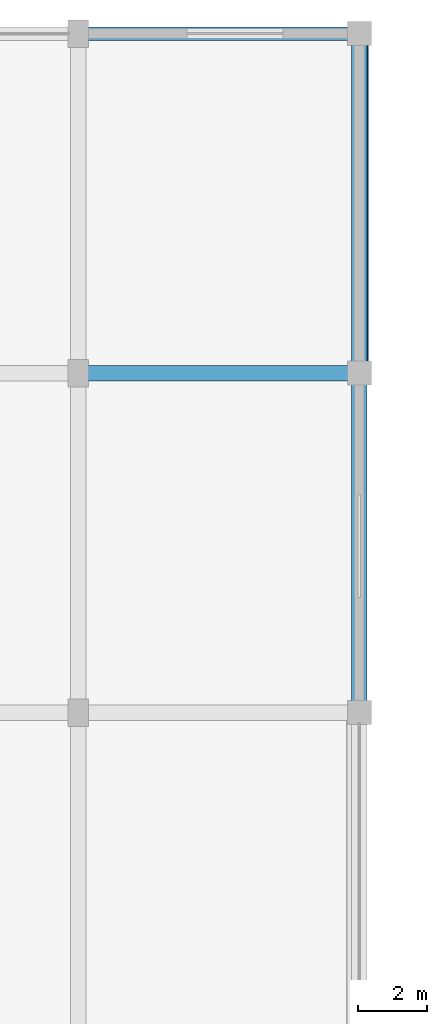
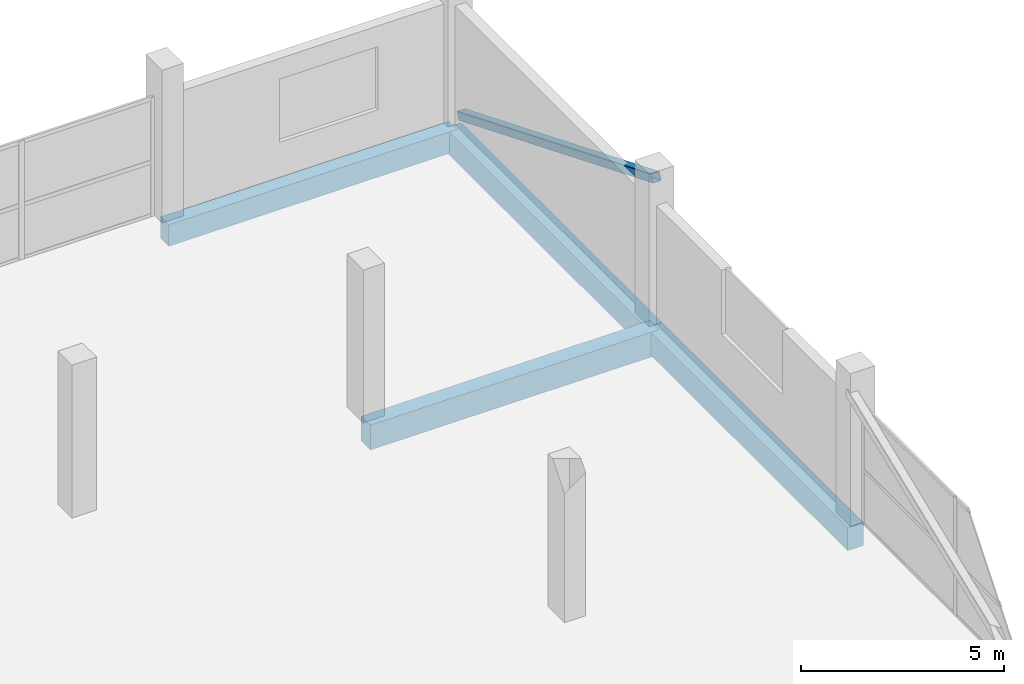
# One storey, part 36 of 58: 4 beams, 1 member.
"""IFC4 building model written with IfcOpenShell, lengths in metres."""

from ifc_helpers import new_model, si_unit, direction, frame, origin, origin_2d, place, context, subcontext, project, spatial, rectangle, hollow_rectangle, extrude, material, material_profile, profile_set, type_object, element, save


model = new_model("IFC4")

# Units and contexts
model_context = context("Model", 3, precision=1e-05, world=origin(), true_north=direction((0.0, 1.0)))
body_context = subcontext(model_context, "Body", "Model", "MODEL_VIEW")
ifc_project = project(units=[si_unit("LENGTHUNIT", "METRE"), si_unit("AREAUNIT", "SQUARE_METRE"), si_unit("VOLUMEUNIT", "CUBIC_METRE"), si_unit("PLANEANGLEUNIT", "RADIAN"), si_unit("MASSUNIT", "GRAM", prefix="KILO")], contexts=[model_context])

# Site, building, storey
site_placement = place(None, origin())
site = spatial("IfcSite", under=ifc_project, at=site_placement, CompositionType="ELEMENT")
building_placement = place(site_placement, origin())
building = spatial("IfcBuilding", under=site, at=building_placement, Name="Sillaruma Civic Art Gallery", CompositionType="ELEMENT")
storey_placement = place(building_placement, frame((0.0, 0.0, 28.56005859375)))
storey = spatial("IfcBuildingStorey", under=building, at=storey_placement, Name="L05", CompositionType="ELEMENT", Elevation=28.56005859375)

# Beams
ifc_material_1 = material(Name="Concrete H40 (40 MPa)", Category="concrete")
ifc_material_profile_1 = material_profile(ifc_material_1, rectangle(XDim=0.449951171875, YDim=0.75, at=origin_2d()), Name="RCB450x750")
ifc_profile_set_1 = profile_set([ifc_material_profile_1], Name="Concrete H40 (40 MPa)")
beam_type_1 = type_object("IfcBeamType", Name="BM-BEAM-RCB450x750", PredefinedType="BEAM", material=ifc_profile_set_1)
beam_1_placement = place(storey_placement, frame((106.199951171875, 89.10009765625, -0.655029296875), z_axis=(1.0, 0.0, 0.0), x_axis=(0.0, 1.0, 0.0)))
element("IfcBeam", 1, at=beam_1_placement, inside=storey, type_object=beam_type_1, Name="Beam BM-03 (L04:10:M-N)", PredefinedType="BEAM", context=body_context, shape_type="SweptSolid", body=[
    extrude(rectangle(XDim=0.449951171875, YDim=0.75, at=origin_2d()), origin(), (0.0, 0.0, 1.0), 8.199951171875),
])
ifc_material_2 = material(Name="Concrete H35 (35 MPa)", Category="concrete")
ifc_material_profile_2 = material_profile(ifc_material_2, rectangle(XDim=0.39990234375, YDim=0.64990234375, at=origin_2d()), Name="RCB400x650")
ifc_profile_set_2 = profile_set([ifc_material_profile_2], Name="Concrete H35 (35 MPa)")
beam_type_2 = type_object("IfcBeamType", Name="BM-SPANDREL-RCB400x650", PredefinedType="SPANDREL", material=ifc_profile_set_2)
beam_2_placement = place(storey_placement, frame((106.199951171875, 99.0, -0.60498046875), z_axis=(1.0, 0.0, 0.0), x_axis=(0.0, 1.0, 0.0)))
element("IfcBeam", 2, at=beam_2_placement, inside=storey, type_object=beam_type_2, Name="Beam BS-02 (L04:11:M-N)", PredefinedType="SPANDREL", context=body_context, shape_type="SweptSolid", body=[
    extrude(rectangle(XDim=0.39990234375, YDim=0.64990234375, at=origin_2d()), origin(), (0.0, 0.0, 1.0), 8.199951171875),
])
ifc_material_profile_3 = material_profile(ifc_material_2, rectangle(XDim=0.449951171875, YDim=0.699951171875, at=origin_2d()), Name="RCB450x700")
ifc_profile_set_3 = profile_set([ifc_material_profile_3], Name="Concrete H35 (35 MPa)")
beam_type_3 = type_object("IfcBeamType", Name="BM-SPANDREL-RCB450x700", PredefinedType="SPANDREL", material=ifc_profile_set_3)
beam_3_placement = place(storey_placement, frame((114.39990234375, 79.199951171875, -0.630126953125), z_axis=(0.0, 1.0, 0.0), x_axis=(-1.0, 0.0, 0.0)))
element("IfcBeam", 3, at=beam_3_placement, inside=storey, type_object=beam_type_3, Name="Beam BS-03 (L04:N:9-10)", PredefinedType="SPANDREL", context=body_context, shape_type="SweptSolid", body=[
    extrude(rectangle(XDim=0.449951171875, YDim=0.699951171875, at=origin_2d()), origin(), (0.0, 0.0, 1.0), 9.900146484375),
])
beam_4_placement = place(storey_placement, frame((114.39990234375, 89.10009765625, -0.630126953125), z_axis=(0.0, 1.0, 0.0), x_axis=(-1.0, 0.0, 0.0)))
element("IfcBeam", 4, at=beam_4_placement, inside=storey, type_object=beam_type_3, Name="Beam BS-03 (L04:N:10-11)", PredefinedType="SPANDREL", context=body_context, shape_type="SweptSolid", body=[
    extrude(rectangle(XDim=0.449951171875, YDim=0.699951171875, at=origin_2d()), origin(), (0.0, 0.0, 1.0), 9.89990234375),
])

# Member
ifc_material_3 = material(Name="Structural Steel ASTM A500 Gr.C", Category="steel")
ifc_material_profile_4 = material_profile(ifc_material_3, hollow_rectangle(XDim=0.25, YDim=0.25, WallThickness=0.012451171875, InnerFilletRadius=0.012451171875, OuterFilletRadius=0.02490234375, at=origin_2d()), Name="HSS250x250x12.5")
ifc_profile_set_4 = profile_set([ifc_material_profile_4], Name="Structural Steel ASTM A500 Gr.C")
member_type = type_object("IfcMemberType", Name="MEM-MEGA-BRACE", PredefinedType="BRACE", material=ifc_profile_set_4)
member_placement = place(storey_placement, frame((114.550048828125, 98.820068359375, 0.099853515625), z_axis=(0.0, -0.925635226768, 0.378417001423), x_axis=(1.0, 0.0, 0.0)))
element("IfcMember", 5, at=member_placement, inside=storey, type_object=member_type, Name="Exterior Expressed Gallery Seismic Diagonal Brace (L05-EN)", PredefinedType="BRACE", context=body_context, shape_type="SweptSolid", body=[
    extrude(hollow_rectangle(XDim=0.25, YDim=0.25, WallThickness=0.012451171875, InnerFilletRadius=0.012451171875, OuterFilletRadius=0.02490234375, at=origin_2d()), origin(), (0.0, 0.0, 1.0), 10.306396484375),
])

save(model, "model.ifc")
